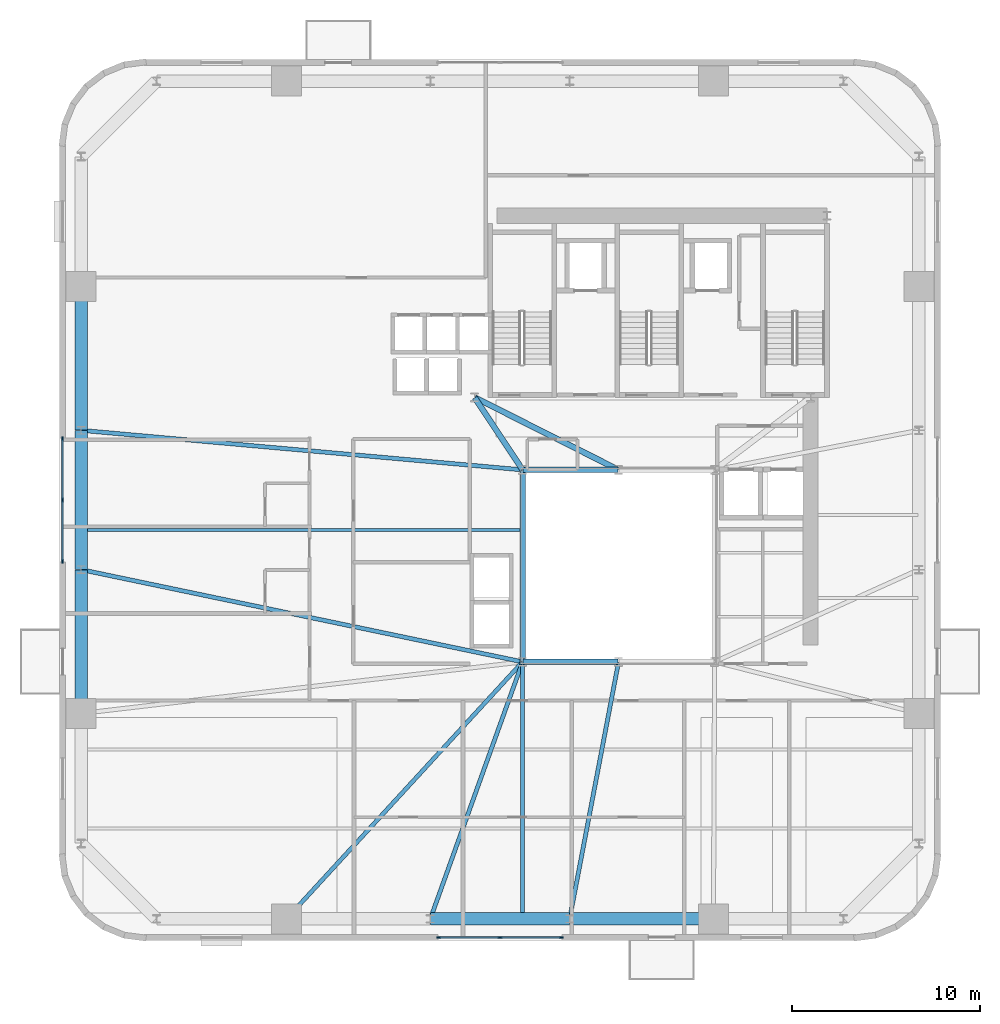
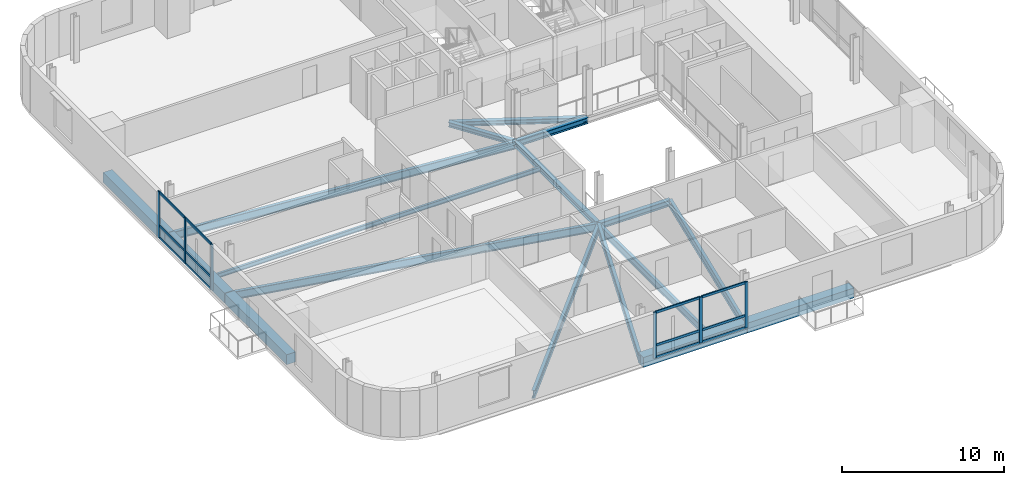
# One storey, part 2 of 14: 18 members, 17 beams, 2 elements without a shape of their own.
"""IFC4 building model written with IfcOpenShell, lengths in metres."""

from ifc_helpers import new_model, si_unit, direction, frame, origin, origin_2d, place, context, subcontext, project, spatial, rectangle, i_section, extrude, source, transform, mapped, material, material_profile, profile_set, type_object, element, aggregate, save


model = new_model("IFC4")

# Units and contexts
model_context = context("Model", 3, precision=1e-05, world=origin(), true_north=direction((0.0, 1.0)))
body_context = subcontext(model_context, "Body", "Model", "MODEL_VIEW")
ifc_project = project(units=[si_unit("LENGTHUNIT", "METRE"), si_unit("AREAUNIT", "SQUARE_METRE"), si_unit("VOLUMEUNIT", "CUBIC_METRE"), si_unit("PLANEANGLEUNIT", "RADIAN"), si_unit("MASSUNIT", "GRAM", prefix="KILO")], contexts=[model_context])

# Site, building, storey
site_placement = place(None, origin())
site = spatial("IfcSite", under=ifc_project, at=site_placement, CompositionType="ELEMENT")
building_placement = place(site_placement, origin())
building = spatial("IfcBuilding", under=site, at=building_placement, Name="Vardaveli Station Tower", CompositionType="ELEMENT")
storey_placement = place(building_placement, frame((0.0, 0.0, 144.60009765625)))
storey = spatial("IfcBuildingStorey", under=building, at=storey_placement, Name="L37", CompositionType="ELEMENT", Elevation=144.60009765625)

# Beams
ifc_material_1 = material(Name="Structural steel S355J2", Category="steel")
ifc_material_profile_1 = material_profile(ifc_material_1, i_section(OverallWidth=0.300048828125, OverallDepth=0.449951171875, WebThickness=0.013916015625, FlangeThickness=0.02587890625, FilletRadius=0.027099609375, at=origin_2d()), Name="HEB 450")
ifc_profile_set_1 = profile_set([ifc_material_profile_1], Name="Structural steel S355J2")
beam_type_1 = type_object("IfcBeamType", Name="BM-HEB450", PredefinedType="BEAM", material=ifc_profile_set_1)
shared_shape_1 = source(origin(), body_context, "Body", "SweptSolid", [
    extrude(i_section(OverallWidth=0.300048828125, OverallDepth=0.449951171875, WebThickness=0.013916015625, FlangeThickness=0.02587890625, FilletRadius=0.027099609375, at=origin_2d()), origin(), (0.0, 0.0, 1.0), 5.06005859375),
])
for number, where, z_axis, x_axis, name in (
    (1, (31.219970703125, 16.60009765625, -0.465087890625), (1.0, 0.0, 0.0), (0.0, 1.0, 0.0), "ABM-L37-01"),
    (2, (36.280029296875, 26.800048828125, -0.465087890625), (-1.0, 0.0, 0.0), (0.0, -1.0, 0.0), "ABM-L37-05"),
):
    element("IfcBeam", number, at=place(storey_placement, frame(where, z_axis=z_axis, x_axis=x_axis)), inside=storey, type_object=beam_type_1, Name=name, PredefinedType="BEAM", context=body_context, shape_type="MappedRepresentation", body=[
        mapped(shared_shape_1, transform((0.0, 0.0, 0.0), scale=1.0)),
    ])
shared_shape_2 = source(origin(), body_context, "Body", "SweptSolid", [
    extrude(i_section(OverallWidth=0.300048828125, OverallDepth=0.449951171875, WebThickness=0.013916015625, FlangeThickness=0.02587890625, FilletRadius=0.027099609375, at=origin_2d()), origin(), (0.0, 0.0, 1.0), 10.159912109375),
])
beam_1_placement = place(storey_placement, frame((31.199951171875, 26.780029296875, -0.465087890625), z_axis=(0.0, -1.0, 0.0), x_axis=(1.0, 0.0, 0.0)))
element("IfcBeam", 3, at=beam_1_placement, inside=storey, type_object=beam_type_1, Name="ABM-L37-06", PredefinedType="BEAM", context=body_context, shape_type="MappedRepresentation", body=[
    mapped(shared_shape_2, transform((0.0, 0.0, 0.0), scale=1.0)),
])
ifc_material_profile_2 = material_profile(ifc_material_1, i_section(OverallWidth=0.300048828125, OverallDepth=0.360107421875, WebThickness=0.012451171875, FlangeThickness=0.0224609375, FilletRadius=0.027099609375, at=origin_2d()), Name="HEB 360")
ifc_profile_set_2 = profile_set([ifc_material_profile_2], Name="Structural steel S355J2")
beam_type_2 = type_object("IfcBeamType", Name="BM-HEB360", PredefinedType="BEAM", material=ifc_profile_set_2)
shared_shape_3 = source(origin(), body_context, "Body", "SweptSolid", [
    extrude(i_section(OverallWidth=0.300048828125, OverallDepth=0.360107421875, WebThickness=0.012451171875, FlangeThickness=0.0224609375, FilletRadius=0.027099609375, at=origin_2d()), origin(), (0.0, 0.0, 1.0), 4.577880859375),
])
beam_2_placement = place(storey_placement, frame((31.18896484375, 26.816650390625, -0.420166015625), z_axis=(-0.55218702139, 0.833720272879, 0.0), x_axis=(-0.833720272879, -0.55218702139, 0.0)))
element("IfcBeam", 4, at=beam_2_placement, inside=storey, type_object=beam_type_2, Name="CBM-L37-01", PredefinedType="BEAM", context=body_context, shape_type="MappedRepresentation", body=[
    mapped(shared_shape_3, transform((0.0, 0.0, 0.0), scale=1.0)),
])
shared_shape_4 = source(origin(), body_context, "Body", "SweptSolid", [
    extrude(i_section(OverallWidth=0.300048828125, OverallDepth=0.360107421875, WebThickness=0.012451171875, FlangeThickness=0.0224609375, FilletRadius=0.027099609375, at=origin_2d()), origin(), (0.0, 0.0, 1.0), 8.524169921875),
])
beam_3_placement = place(storey_placement, frame((28.66796875, 30.64111328125, -0.420166015625), z_axis=(0.893255584708, -0.449549174605, 0.0), x_axis=(0.449549174605, 0.893255584708, 0.0)))
element("IfcBeam", 5, at=beam_3_placement, inside=storey, type_object=beam_type_2, Name="CBM-L37-03", PredefinedType="BEAM", context=body_context, shape_type="MappedRepresentation", body=[
    mapped(shared_shape_4, transform((0.0, 0.0, 0.0), scale=1.0)),
])
ifc_material_2 = material(Name="Precast concrete C45/55", Category="concrete")
ifc_material_profile_3 = material_profile(ifc_material_2, rectangle(XDim=0.64990234375, YDim=0.75, at=origin_2d()), Name="LPB 650x750")
ifc_profile_set_3 = profile_set([ifc_material_profile_3], Name="Precast concrete C45/55")
beam_type_3 = type_object("IfcBeamType", Name="BM-LPB-750", PredefinedType="BEAM", material=ifc_profile_set_3)
shared_shape_5 = source(origin(), body_context, "Body", "SweptSolid", [
    extrude(rectangle(XDim=0.64990234375, YDim=0.75, at=origin_2d()), origin(), (0.0, 0.0, 1.0), 7.60009765625),
])
for number, where, z_axis, x_axis, name in (
    (6, (33.719970703125, 2.949951171875, -0.614990234375), (1.0, 0.0, 0.0), (0.0, 1.0, 0.0), "RBM-L37-03"),
    (7, (7.75, 36.52001953125, -0.614990234375), (0.0, -1.0, 0.0), (1.0, 0.0, 0.0), "RBM-L37-19"),
    (8, (7.75, 21.47998046875, -0.614990234375), (0.0, -1.0, 0.0), (1.0, 0.0, 0.0), "RBM-L37-21"),
):
    element("IfcBeam", number, at=place(storey_placement, frame(where, z_axis=z_axis, x_axis=x_axis)), inside=storey, type_object=beam_type_3, Name=name, PredefinedType="BEAM", context=body_context, shape_type="MappedRepresentation", body=[
        mapped(shared_shape_5, transform((0.0, 0.0, 0.0), scale=1.0)),
    ])
shared_shape_6 = source(origin(), body_context, "Body", "SweptSolid", [
    extrude(rectangle(XDim=0.64990234375, YDim=0.75, at=origin_2d()), origin(), (0.0, 0.0, 1.0), 7.35986328125),
])
for number, where, z_axis, x_axis, name in (
    (9, (26.320068359375, 2.949951171875, -0.614990234375), (1.0, 0.0, 0.0), (0.0, 1.0, 0.0), "RBM-L37-02"),
    (10, (7.75, 28.8798828125, -0.614990234375), (0.0, -1.0, 0.0), (1.0, 0.0, 0.0), "RBM-L37-20"),
):
    element("IfcBeam", number, at=place(storey_placement, frame(where, z_axis=z_axis, x_axis=x_axis)), inside=storey, type_object=beam_type_3, Name=name, PredefinedType="BEAM", context=body_context, shape_type="MappedRepresentation", body=[
        mapped(shared_shape_6, transform((0.0, 0.0, 0.0), scale=1.0)),
    ])
ifc_material_profile_4 = material_profile(ifc_material_1, i_section(OverallWidth=0.2099609375, OverallDepth=0.550048828125, WebThickness=0.010986328125, FlangeThickness=0.01708984375, FilletRadius=0.02392578125, at=origin_2d()), Name="IPE 550")
ifc_profile_set_4 = profile_set([ifc_material_profile_4], Name="Structural steel S355J2")
beam_type_4 = type_object("IfcBeamType", Name="BM-IPE550", PredefinedType="BEAM", material=ifc_profile_set_4)
shared_shape_7 = source(origin(), body_context, "Body", "SweptSolid", [
    extrude(i_section(OverallWidth=0.2099609375, OverallDepth=0.550048828125, WebThickness=0.010986328125, FlangeThickness=0.01708984375, FilletRadius=0.02392578125, at=origin_2d()), origin(), (0.0, 0.0, 1.0), 13.469970703125),
])
beam_4_placement = place(storey_placement, frame((31.199951171875, 2.989990234375, -0.51513671875), z_axis=(0.0, 1.0, 0.0), x_axis=(-1.0, 0.0, 0.0)))
element("IfcBeam", 11, at=beam_4_placement, inside=storey, type_object=beam_type_4, Name="NSM-L37-S1", PredefinedType="BEAM", context=body_context, shape_type="MappedRepresentation", body=[
    mapped(shared_shape_7, transform((0.0, 0.0, 0.0), scale=1.0)),
])
ifc_material_profile_5 = material_profile(ifc_material_1, i_section(OverallWidth=0.159912109375, OverallDepth=0.330078125, WebThickness=0.007568359375, FlangeThickness=0.011474609375, FilletRadius=0.01806640625, at=origin_2d()), Name="IPE 330")
ifc_profile_set_5 = profile_set([ifc_material_profile_5], Name="Structural steel S355J2")
beam_type_5 = type_object("IfcBeamType", Name="BM-IPE330", PredefinedType="JOIST", material=ifc_profile_set_5)
shared_shape_8 = source(origin(), body_context, "Body", "SweptSolid", [
    extrude(i_section(OverallWidth=0.159912109375, OverallDepth=0.330078125, WebThickness=0.007568359375, FlangeThickness=0.011474609375, FilletRadius=0.01806640625, at=origin_2d()), origin(), (0.0, 0.0, 1.0), 23.2978515625),
])
beam_5_placement = place(storey_placement, frame((7.7900390625, 23.60009765625, -0.405029296875), z_axis=(1.0, 0.0, 0.0), x_axis=(0.0, 1.0, 0.0)))
element("IfcBeam", 12, at=beam_5_placement, inside=storey, type_object=beam_type_5, Name="SJ-L37-W06", PredefinedType="JOIST", context=body_context, shape_type="MappedRepresentation", body=[
    mapped(shared_shape_8, transform((0.0, 0.0, 0.0), scale=1.0)),
])
ifc_material_profile_6 = material_profile(ifc_material_1, i_section(OverallWidth=0.219970703125, OverallDepth=0.60009765625, WebThickness=0.011962890625, FlangeThickness=0.01904296875, FilletRadius=0.02392578125, at=origin_2d()), Name="IPE 600")
ifc_profile_set_6 = profile_set([ifc_material_profile_6], Name="Structural steel S355J2")
beam_type_6 = type_object("IfcBeamType", Name="BM-IPE600", PredefinedType="BEAM", material=ifc_profile_set_6)
shared_shape_9 = source(origin(), body_context, "Body", "SweptSolid", [
    extrude(i_section(OverallWidth=0.219970703125, OverallDepth=0.60009765625, WebThickness=0.011962890625, FlangeThickness=0.01904296875, FilletRadius=0.02392578125, at=origin_2d()), origin(), (0.0, 0.0, 1.0), 18.49560546875),
])
beam_6_placement = place(storey_placement, frame((18.673583984375, 2.96484375, -0.5400390625), z_axis=(0.676535341891, 0.736410165039, 0.0), x_axis=(-0.736410165039, 0.676535341891, 0.0)))
element("IfcBeam", 13, at=beam_6_placement, inside=storey, type_object=beam_type_6, Name="GBM-L37-01", PredefinedType="BEAM", context=body_context, shape_type="MappedRepresentation", body=[
    mapped(shared_shape_9, transform((0.0, 0.0, 0.0), scale=1.0)),
])
shared_shape_10 = source(origin(), body_context, "Body", "SweptSolid", [
    extrude(i_section(OverallWidth=0.219970703125, OverallDepth=0.60009765625, WebThickness=0.011962890625, FlangeThickness=0.01904296875, FilletRadius=0.02392578125, at=origin_2d()), origin(), (0.0, 0.0, 1.0), 14.462890625),
])
beam_7_placement = place(storey_placement, frame((26.306640625, 2.96875, -0.5400390625), z_axis=(0.337880090533, 0.941189165057, 0.0), x_axis=(-0.941189165057, 0.337880090533, 0.0)))
element("IfcBeam", 14, at=beam_7_placement, inside=storey, type_object=beam_type_6, Name="GBM-L37-02", PredefinedType="BEAM", context=body_context, shape_type="MappedRepresentation", body=[
    mapped(shared_shape_10, transform((0.0, 0.0, 0.0), scale=1.0)),
])
shared_shape_11 = source(origin(), body_context, "Body", "SweptSolid", [
    extrude(i_section(OverallWidth=0.219970703125, OverallDepth=0.60009765625, WebThickness=0.011962890625, FlangeThickness=0.01904296875, FilletRadius=0.02392578125, at=origin_2d()), origin(), (0.0, 0.0, 1.0), 13.855224609375),
])
beam_8_placement = place(storey_placement, frame((33.703857421875, 2.9697265625, -0.5400390625), z_axis=(0.187097533125, 0.982341342456, 0.0), x_axis=(-0.982341342456, 0.187097533125, 0.0)))
element("IfcBeam", 15, at=beam_8_placement, inside=storey, type_object=beam_type_6, Name="GBM-L37-03", PredefinedType="BEAM", context=body_context, shape_type="MappedRepresentation", body=[
    mapped(shared_shape_11, transform((0.0, 0.0, 0.0), scale=1.0)),
])
shared_shape_12 = source(origin(), body_context, "Body", "SweptSolid", [
    extrude(i_section(OverallWidth=0.219970703125, OverallDepth=0.60009765625, WebThickness=0.011962890625, FlangeThickness=0.01904296875, FilletRadius=0.02392578125, at=origin_2d()), origin(), (0.0, 0.0, 1.0), 23.50390625),
])
beam_9_placement = place(storey_placement, frame((7.77001953125, 28.898193359375, -0.5400390625), z_axis=(0.996014142198, -0.08919545135, 0.0), x_axis=(0.08919545135, 0.996014142198, 0.0)))
element("IfcBeam", 16, at=beam_9_placement, inside=storey, type_object=beam_type_6, Name="GBM-L37-08", PredefinedType="BEAM", context=body_context, shape_type="MappedRepresentation", body=[
    mapped(shared_shape_12, transform((0.0, 0.0, 0.0), scale=1.0)),
])
shared_shape_13 = source(origin(), body_context, "Body", "SweptSolid", [
    extrude(i_section(OverallWidth=0.219970703125, OverallDepth=0.60009765625, WebThickness=0.011962890625, FlangeThickness=0.01904296875, FilletRadius=0.02392578125, at=origin_2d()), origin(), (0.0, 0.0, 1.0), 23.91650390625),
])
beam_10_placement = place(storey_placement, frame((7.76953125, 21.495849609375, -0.5400390625), z_axis=(0.978858547354, -0.204538368703, 0.0), x_axis=(0.204538368703, 0.978858547354, 0.0)))
element("IfcBeam", 17, at=beam_10_placement, inside=storey, type_object=beam_type_6, Name="GBM-L37-09", PredefinedType="BEAM", context=body_context, shape_type="MappedRepresentation", body=[
    mapped(shared_shape_13, transform((0.0, 0.0, 0.0), scale=1.0)),
])

# Curtain wall, members
ifc_material_3 = material(Name="Travertine stone and solar-control glass", Category="masonry")
curtain_wall_type = type_object("IfcCurtainWallType", Name="CW-SYS-2", PredefinedType="NOTDEFINED", material=ifc_material_3)
curtain_wall_1_placement = place(storey_placement, origin())
curtain_wall_1 = element("IfcCurtainWall", 18, at=curtain_wall_1_placement, inside=storey, type_object=curtain_wall_type, Name="CW-L37-S", PredefinedType="NOTDEFINED")
ifc_material_4 = material(Name="Anodised aluminium alloy 6063-T6", Category="aluminium")
ifc_material_profile_7 = material_profile(ifc_material_4, rectangle(XDim=0.0849609375, YDim=0.179931640625, at=origin_2d()), Name="CWT 85x180")
ifc_profile_set_7 = profile_set([ifc_material_profile_7], Name="Anodised aluminium alloy 6063-T6")
member_type_1 = type_object("IfcMemberType", Name="CW-SYS-2-TRAN", PredefinedType="NOTDEFINED", material=ifc_profile_set_7)
shared_shape_14 = source(origin(), body_context, "Body", "SweptSolid", [
    extrude(rectangle(XDim=0.0849609375, YDim=0.179931640625, at=origin_2d()), origin(), (0.0, 0.0, 1.0), 3.172607421875),
])
member_1_placement = place(storey_placement, frame((26.784912109375, 1.9599609375, 0.04248046875), z_axis=(1.0, 0.0, 0.0), x_axis=(0.0, 1.0, 0.0)))
member_1 = element("IfcMember", 19, at=member_1_placement, type_object=member_type_1, Name="CW-2 transom 1.1", ObjectType="TRANSOM", PredefinedType="USERDEFINED", context=body_context, shape_type="MappedRepresentation", body=[
    mapped(shared_shape_14, transform((0.0, 0.0, 0.0), scale=1.0)),
])
member_2_placement = place(storey_placement, frame((26.784912109375, 1.9599609375, 0.949951171875), z_axis=(1.0, 0.0, 0.0), x_axis=(0.0, 1.0, 0.0)))
member_2 = element("IfcMember", 20, at=member_2_placement, type_object=member_type_1, Name="CW-2 transom 1.2", ObjectType="TRANSOM", PredefinedType="USERDEFINED", context=body_context, shape_type="MappedRepresentation", body=[
    mapped(shared_shape_14, transform((0.0, 0.0, 0.0), scale=1.0)),
])
member_3_placement = place(storey_placement, frame((26.784912109375, 1.9599609375, 3.41748046875), z_axis=(1.0, 0.0, 0.0), x_axis=(0.0, 1.0, 0.0)))
member_3 = element("IfcMember", 21, at=member_3_placement, type_object=member_type_1, Name="CW-2 transom 1.3", ObjectType="TRANSOM", PredefinedType="USERDEFINED", context=body_context, shape_type="MappedRepresentation", body=[
    mapped(shared_shape_14, transform((0.0, 0.0, 0.0), scale=1.0)),
])
member_4_placement = place(storey_placement, frame((30.04248046875, 1.9599609375, 0.04248046875), z_axis=(1.0, 0.0, 0.0), x_axis=(0.0, 1.0, 0.0)))
member_4 = element("IfcMember", 22, at=member_4_placement, type_object=member_type_1, Name="CW-2 transom 2.1", ObjectType="TRANSOM", PredefinedType="USERDEFINED", context=body_context, shape_type="MappedRepresentation", body=[
    mapped(shared_shape_14, transform((0.0, 0.0, 0.0), scale=1.0)),
])
member_5_placement = place(storey_placement, frame((30.04248046875, 1.9599609375, 0.949951171875), z_axis=(1.0, 0.0, 0.0), x_axis=(0.0, 1.0, 0.0)))
member_5 = element("IfcMember", 23, at=member_5_placement, type_object=member_type_1, Name="CW-2 transom 2.2", ObjectType="TRANSOM", PredefinedType="USERDEFINED", context=body_context, shape_type="MappedRepresentation", body=[
    mapped(shared_shape_14, transform((0.0, 0.0, 0.0), scale=1.0)),
])
member_6_placement = place(storey_placement, frame((30.04248046875, 1.9599609375, 3.41748046875), z_axis=(1.0, 0.0, 0.0), x_axis=(0.0, 1.0, 0.0)))
member_6 = element("IfcMember", 24, at=member_6_placement, type_object=member_type_1, Name="CW-2 transom 2.3", ObjectType="TRANSOM", PredefinedType="USERDEFINED", context=body_context, shape_type="MappedRepresentation", body=[
    mapped(shared_shape_14, transform((0.0, 0.0, 0.0), scale=1.0)),
])

curtain_wall_2_placement = place(storey_placement, origin())
curtain_wall_2 = element("IfcCurtainWall", 25, at=curtain_wall_2_placement, inside=storey, type_object=curtain_wall_type, Name="CW-L37-W", PredefinedType="NOTDEFINED")
member_7_placement = place(storey_placement, frame((6.760009765625, 28.4150390625, 0.04248046875), z_axis=(0.0, -1.0, 0.0), x_axis=(1.0, 0.0, 0.0)))
member_7 = element("IfcMember", 26, at=member_7_placement, type_object=member_type_1, Name="CW-2 transom 1.1", ObjectType="TRANSOM", PredefinedType="USERDEFINED", context=body_context, shape_type="MappedRepresentation", body=[
    mapped(shared_shape_14, transform((0.0, 0.0, 0.0), scale=1.0)),
])
member_8_placement = place(storey_placement, frame((6.760009765625, 28.4150390625, 0.949951171875), z_axis=(0.0, -1.0, 0.0), x_axis=(1.0, 0.0, 0.0)))
member_8 = element("IfcMember", 27, at=member_8_placement, type_object=member_type_1, Name="CW-2 transom 1.2", ObjectType="TRANSOM", PredefinedType="USERDEFINED", context=body_context, shape_type="MappedRepresentation", body=[
    mapped(shared_shape_14, transform((0.0, 0.0, 0.0), scale=1.0)),
])
member_9_placement = place(storey_placement, frame((6.760009765625, 28.4150390625, 3.41748046875), z_axis=(0.0, -1.0, 0.0), x_axis=(1.0, 0.0, 0.0)))
member_9 = element("IfcMember", 28, at=member_9_placement, type_object=member_type_1, Name="CW-2 transom 1.3", ObjectType="TRANSOM", PredefinedType="USERDEFINED", context=body_context, shape_type="MappedRepresentation", body=[
    mapped(shared_shape_14, transform((0.0, 0.0, 0.0), scale=1.0)),
])
shared_shape_15 = source(origin(), body_context, "Body", "SweptSolid", [
    extrude(rectangle(XDim=0.0849609375, YDim=0.179931640625, at=origin_2d()), origin(), (0.0, 0.0, 1.0), 3.17236328125),
])
member_10_placement = place(storey_placement, frame((6.760009765625, 25.157470703125, 0.04248046875), z_axis=(0.0, -1.0, 0.0), x_axis=(1.0, 0.0, 0.0)))
member_10 = element("IfcMember", 29, at=member_10_placement, type_object=member_type_1, Name="CW-2 transom 2.1", ObjectType="TRANSOM", PredefinedType="USERDEFINED", context=body_context, shape_type="MappedRepresentation", body=[
    mapped(shared_shape_15, transform((0.0, 0.0, 0.0), scale=1.0)),
])
member_11_placement = place(storey_placement, frame((6.760009765625, 25.157470703125, 0.949951171875), z_axis=(0.0, -1.0, 0.0), x_axis=(1.0, 0.0, 0.0)))
member_11 = element("IfcMember", 30, at=member_11_placement, type_object=member_type_1, Name="CW-2 transom 2.2", ObjectType="TRANSOM", PredefinedType="USERDEFINED", context=body_context, shape_type="MappedRepresentation", body=[
    mapped(shared_shape_15, transform((0.0, 0.0, 0.0), scale=1.0)),
])
member_12_placement = place(storey_placement, frame((6.760009765625, 25.157470703125, 3.41748046875), z_axis=(0.0, -1.0, 0.0), x_axis=(1.0, 0.0, 0.0)))
member_12 = element("IfcMember", 31, at=member_12_placement, type_object=member_type_1, Name="CW-2 transom 2.3", ObjectType="TRANSOM", PredefinedType="USERDEFINED", context=body_context, shape_type="MappedRepresentation", body=[
    mapped(shared_shape_15, transform((0.0, 0.0, 0.0), scale=1.0)),
])

# Member
ifc_material_profile_8 = material_profile(ifc_material_4, rectangle(XDim=0.0849609375, YDim=0.219970703125, at=origin_2d()), Name="CWM 85x220")
ifc_profile_set_8 = profile_set([ifc_material_profile_8], Name="Anodised aluminium alloy 6063-T6")
member_type_2 = type_object("IfcMemberType", Name="CW-SYS-2-MULL", PredefinedType="MULLION", material=ifc_profile_set_8)
shared_shape_16 = source(origin(), body_context, "Body", "SweptSolid", [
    extrude(rectangle(XDim=0.0849609375, YDim=0.219970703125, at=origin_2d()), origin(), (0.0, 0.0, 1.0), 3.4599609375),
])
member_13_placement = place(storey_placement, frame((26.742431640625, 1.9599609375, 0.0), z_axis=(0.0, 0.0, 1.0), x_axis=(0.0, 1.0, 0.0)))
member_13 = element("IfcMember", 32, at=member_13_placement, type_object=member_type_2, Name="CW-2 mullion 1", PredefinedType="MULLION", context=body_context, shape_type="MappedRepresentation", body=[
    mapped(shared_shape_16, transform((0.0, 0.0, 0.0), scale=1.0)),
])

member_14_placement = place(storey_placement, frame((30.0, 1.9599609375, 0.0), z_axis=(0.0, 0.0, 1.0), x_axis=(0.0, 1.0, 0.0)))
member_14 = element("IfcMember", 33, at=member_14_placement, type_object=member_type_2, Name="CW-2 mullion 2", PredefinedType="MULLION", context=body_context, shape_type="MappedRepresentation", body=[
    mapped(shared_shape_16, transform((0.0, 0.0, 0.0), scale=1.0)),
])

member_15_placement = place(storey_placement, frame((33.257568359375, 1.9599609375, 0.0), z_axis=(0.0, 0.0, 1.0), x_axis=(0.0, 1.0, 0.0)))
member_15 = element("IfcMember", 34, at=member_15_placement, type_object=member_type_2, Name="CW-2 mullion 3", PredefinedType="MULLION", context=body_context, shape_type="MappedRepresentation", body=[
    mapped(shared_shape_16, transform((0.0, 0.0, 0.0), scale=1.0)),
])

aggregate(curtain_wall_1, [member_13, member_14, member_15, member_1, member_2, member_3, member_4, member_5, member_6])

member_16_placement = place(storey_placement, frame((6.760009765625, 28.45751953125, 0.0), z_axis=(0.0, 0.0, 1.0), x_axis=(1.0, 0.0, 0.0)))
member_16 = element("IfcMember", 35, at=member_16_placement, type_object=member_type_2, Name="CW-2 mullion 1", PredefinedType="MULLION", context=body_context, shape_type="MappedRepresentation", body=[
    mapped(shared_shape_16, transform((0.0, 0.0, 0.0), scale=1.0)),
])

member_17_placement = place(storey_placement, frame((6.760009765625, 25.199951171875, 0.0), z_axis=(0.0, 0.0, 1.0), x_axis=(1.0, 0.0, 0.0)))
member_17 = element("IfcMember", 36, at=member_17_placement, type_object=member_type_2, Name="CW-2 mullion 2", PredefinedType="MULLION", context=body_context, shape_type="MappedRepresentation", body=[
    mapped(shared_shape_16, transform((0.0, 0.0, 0.0), scale=1.0)),
])

member_18_placement = place(storey_placement, frame((6.760009765625, 21.9423828125, 0.0), z_axis=(0.0, 0.0, 1.0), x_axis=(1.0, 0.0, 0.0)))
member_18 = element("IfcMember", 37, at=member_18_placement, type_object=member_type_2, Name="CW-2 mullion 3", PredefinedType="MULLION", context=body_context, shape_type="MappedRepresentation", body=[
    mapped(shared_shape_16, transform((0.0, 0.0, 0.0), scale=1.0)),
])

aggregate(curtain_wall_2, [member_16, member_17, member_18, member_7, member_8, member_9, member_10, member_11, member_12])

save(model, "model.ifc")
